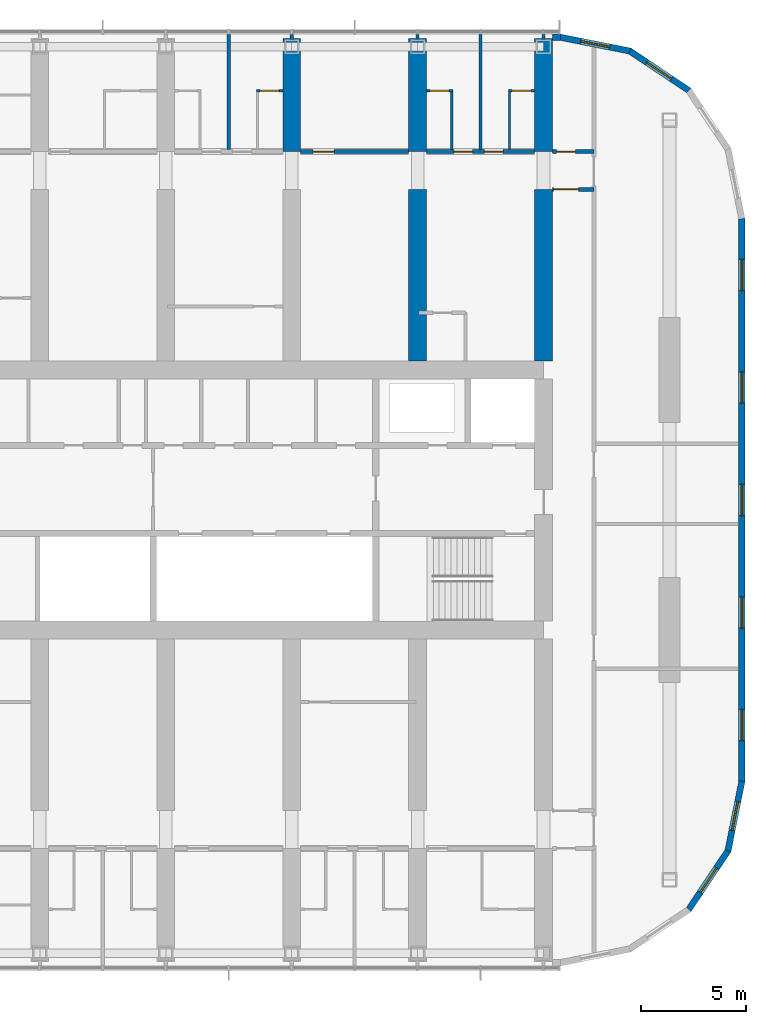
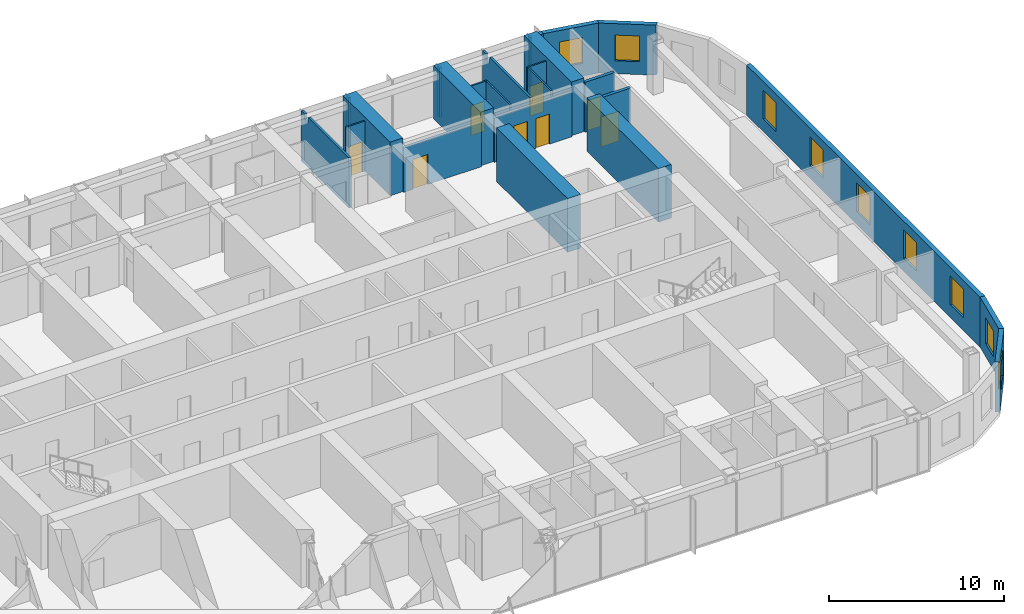
# One storey, part 17 of 23: 25 walls, 9 windows, 8 doors, 17 openings.
"""IFC4 building model written with IfcOpenShell, lengths in metres."""

from ifc_helpers import new_model, si_unit, direction, frame, frame_2d, origin, place, context, subcontext, project, spatial, polyline, rectangle, outline, extrude, material, layer, layer_set, type_object, element, fill, save


model = new_model("IFC4")

# Units and contexts
model_context = context("Model", 3, precision=1e-05, world=origin(), true_north=direction((0.0, 1.0)))
body_context = subcontext(model_context, "Body", "Model", "MODEL_VIEW")
ifc_project = project(units=[si_unit("LENGTHUNIT", "METRE"), si_unit("AREAUNIT", "SQUARE_METRE"), si_unit("VOLUMEUNIT", "CUBIC_METRE"), si_unit("PLANEANGLEUNIT", "RADIAN"), si_unit("MASSUNIT", "GRAM", prefix="KILO")], contexts=[model_context])

# Site, building, storey
site_placement = place(None, origin())
site = spatial("IfcSite", under=ifc_project, at=site_placement, CompositionType="ELEMENT")
building_placement = place(site_placement, origin())
building = spatial("IfcBuilding", under=site, at=building_placement, Name="Orbita Commons", CompositionType="ELEMENT")
storey_placement = place(building_placement, frame((0.0, 0.0, 171.10009765625)))
storey = spatial("IfcBuildingStorey", under=building, at=storey_placement, Name="L42", CompositionType="ELEMENT", Elevation=171.10009765625)

# Wall, opening, door
ifc_material_1 = material(Name="Concrete blockwork", Category="masonry")
ifc_layer_1 = layer(ifc_material_1, 0.199951171875)
ifc_layer_set_1 = layer_set([ifc_layer_1], Name="Concrete blockwork")
wall_type_1 = type_object("IfcWallType", Name="Corridor wall 200 blockwork", PredefinedType="SOLIDWALL", material=ifc_layer_set_1)
wall_1_placement = place(storey_placement, frame((54.425048828125, 48.60009765625, 0.0), z_axis=(0.0, 0.0, 1.0), x_axis=(1.0, 0.0, 0.0)))
wall_1 = element("IfcWall", 1, at=wall_1_placement, inside=storey, type_object=wall_type_1, Name="Corridor wall 200 blockwork L42", PredefinedType="SOLIDWALL", context=body_context, shape_type="SweptSolid", body=[
    extrude(outline(polyline([(0.0, 0.0), (5.14990234375, 0.0), (5.14990234375, 3.099853515625), (0.0, 3.099853515625), (0.0, 0.0)])), frame((0.0, 0.10009765625, 0.0), z_axis=(0.0, -1.0, 0.0), x_axis=(1.0, 0.0, 0.0)), (0.0, 0.0, 1.0), 0.199951171875),
])
opening_1_placement = place(wall_1_placement, frame((0.60009765625, 0.0, 0.0)))
opening_1 = element("IfcOpeningElement", 2, at=opening_1_placement, cuts=wall_1, Name="Opening D06", PredefinedType="OPENING", context=body_context, shape_type="SweptSolid", body=[
    extrude(rectangle(XDim=1.0, YDim=2.10009765625, at=frame_2d((0.5, 1.050048828125))), frame((0.0, 0.10986328125, 0.0), z_axis=(0.0, -1.0, 0.0), x_axis=(1.0, 0.0, 0.0)), (0.0, 0.0, 1.0), 0.219970703125),
])
ifc_material_2 = material(Name="Steel-faced fire door leaf", Category="steel")
door_type_1 = type_object("IfcDoorType", Name="Corridor door 20 min 1000x2100", OperationType="SINGLE_SWING_LEFT", PredefinedType="DOOR", material=ifc_material_2)
door_1_placement = place(opening_1_placement, origin())
door_1 = element("IfcDoor", 3, at=door_1_placement, inside=storey, type_object=door_type_1, Name="Cluster kitchen-diner L42-N12 door", OperationType="SINGLE_SWING_LEFT", OverallHeight=2.10009765625, OverallWidth=1.0, PredefinedType="DOOR", context=body_context, shape_type="SweptSolid", body=[
    extrude(rectangle(XDim=1.0, YDim=2.10009765625, at=frame_2d((0.5, 1.050048828125))), frame((0.0, 0.02490234375, 0.0), z_axis=(0.0, -1.0, 0.0), x_axis=(1.0, 0.0, 0.0)), (0.0, 0.0, 1.0), 0.050048828125),
])
fill(opening_1, door_1)

# Wall, openings, doors
wall_2_placement = place(storey_placement, frame((60.425048828125, 48.60009765625, 0.0), z_axis=(0.0, 0.0, 1.0), x_axis=(1.0, 0.0, 0.0)))
wall_2 = element("IfcWall", 4, at=wall_2_placement, inside=storey, type_object=wall_type_1, Name="Corridor wall 200 blockwork L42", PredefinedType="SOLIDWALL", context=body_context, shape_type="SweptSolid", body=[
    extrude(outline(polyline([(0.0, 0.0), (5.14990234375, 0.0), (5.14990234375, 3.099853515625), (0.0, 3.099853515625), (0.0, 0.0)])), frame((0.0, 0.10009765625, 0.0), z_axis=(0.0, -1.0, 0.0), x_axis=(1.0, 0.0, 0.0)), (0.0, 0.0, 1.0), 0.199951171875),
])
opening_2_placement = place(wall_2_placement, frame((1.300048828125, 0.0, 0.0)))
opening_2 = element("IfcOpeningElement", 5, at=opening_2_placement, cuts=wall_2, Name="Opening D11", PredefinedType="OPENING", context=body_context, shape_type="SweptSolid", body=[
    extrude(rectangle(XDim=0.89990234375, YDim=2.10009765625, at=frame_2d((0.449951171875, 1.050048828125))), frame((0.0, 0.10986328125, 0.0), z_axis=(0.0, -1.0, 0.0), x_axis=(1.0, 0.0, 0.0)), (0.0, 0.0, 1.0), 0.219970703125),
])
opening_3_placement = place(wall_2_placement, frame((2.75, 0.0, 0.0)))
opening_3 = element("IfcOpeningElement", 6, at=opening_3_placement, cuts=wall_2, Name="Opening D11", PredefinedType="OPENING", context=body_context, shape_type="SweptSolid", body=[
    extrude(rectangle(XDim=0.89990234375, YDim=2.10009765625, at=frame_2d((0.449951171875, 1.050048828125))), frame((0.0, 0.10986328125, 0.0), z_axis=(0.0, -1.0, 0.0), x_axis=(1.0, 0.0, 0.0)), (0.0, 0.0, 1.0), 0.219970703125),
])
ifc_material_3 = material(Name="Steel-faced fire door leaf", Category="steel")
door_type_2 = type_object("IfcDoorType", Name="Corridor door 20 min 900x2100", OperationType="SINGLE_SWING_LEFT", PredefinedType="DOOR", material=ifc_material_3)
door_2_placement = place(opening_2_placement, origin())
door_2 = element("IfcDoor", 7, at=door_2_placement, inside=storey, type_object=door_type_2, Name="Cluster bedroom L42-N14 door", OperationType="SINGLE_SWING_LEFT", OverallHeight=2.10009765625, OverallWidth=0.89990234375, PredefinedType="DOOR", context=body_context, shape_type="SweptSolid", body=[
    extrude(rectangle(XDim=0.89990234375, YDim=2.10009765625, at=frame_2d((0.449951171875, 1.050048828125))), frame((0.0, 0.02490234375, 0.0), z_axis=(0.0, -1.0, 0.0), x_axis=(1.0, 0.0, 0.0)), (0.0, 0.0, 1.0), 0.050048828125),
])
fill(opening_2, door_2)
door_3_placement = place(opening_3_placement, origin())
door_3 = element("IfcDoor", 8, at=door_3_placement, inside=storey, type_object=door_type_2, Name="Cluster bedroom L42-N15 door", OperationType="SINGLE_SWING_LEFT", OverallHeight=2.10009765625, OverallWidth=0.89990234375, PredefinedType="DOOR", context=body_context, shape_type="SweptSolid", body=[
    extrude(rectangle(XDim=0.89990234375, YDim=2.10009765625, at=frame_2d((0.449951171875, 1.050048828125))), frame((0.0, 0.02490234375, 0.0), z_axis=(0.0, -1.0, 0.0), x_axis=(1.0, 0.0, 0.0)), (0.0, 0.0, 1.0), 0.050048828125),
])
fill(opening_3, door_3)

# Wall, opening, door
wall_3_placement = place(storey_placement, frame((66.425048828125, 48.60009765625, 0.0), z_axis=(0.0, 0.0, 1.0), x_axis=(1.0, 0.0, 0.0)))
wall_3 = element("IfcWall", 9, at=wall_3_placement, inside=storey, type_object=wall_type_1, Name="Corridor wall 200 blockwork L42", PredefinedType="SOLIDWALL", context=body_context, shape_type="SweptSolid", body=[
    extrude(rectangle(XDim=1.974853515625, YDim=0.199951171875, at=frame_2d((0.9873046875, 0.0))), origin(), (0.0, 0.0, 1.0), 3.5),
])
opening_4_placement = place(wall_3_placement, frame((0.199951171875, 0.0, 0.0)))
opening_4 = element("IfcOpeningElement", 10, at=opening_4_placement, cuts=wall_3, Name="Opening D05", PredefinedType="OPENING", context=body_context, shape_type="SweptSolid", body=[
    extrude(rectangle(XDim=0.89990234375, YDim=2.10009765625, at=frame_2d((0.449951171875, 1.050048828125))), frame((0.0, 0.10986328125, 0.0), z_axis=(0.0, -1.0, 0.0), x_axis=(1.0, 0.0, 0.0)), (0.0, 0.0, 1.0), 0.219970703125),
])
ifc_material_4 = material(Name="Steel-faced fire door leaf", Category="steel")
door_type_3 = type_object("IfcDoorType", Name="Service door 20 min 900x2100", OperationType="SINGLE_SWING_LEFT", PredefinedType="DOOR", material=ifc_material_4)
door_4_placement = place(opening_4_placement, origin())
door_4 = element("IfcDoor", 11, at=door_4_placement, inside=storey, type_object=door_type_3, Name="Linen store L42-KEN door", OperationType="SINGLE_SWING_LEFT", OverallHeight=2.10009765625, OverallWidth=0.89990234375, PredefinedType="DOOR", context=body_context, shape_type="SweptSolid", body=[
    extrude(rectangle(XDim=0.89990234375, YDim=2.10009765625, at=frame_2d((0.449951171875, 1.050048828125))), frame((0.0, 0.02490234375, 0.0), z_axis=(0.0, -1.0, 0.0), x_axis=(1.0, 0.0, 0.0)), (0.0, 0.0, 1.0), 0.050048828125),
])
fill(opening_4, door_4)

ifc_material_5 = material(Name="Hollow concrete block 200", Category="concrete")
ifc_layer_2 = layer(ifc_material_5, 0.199951171875)
ifc_layer_set_2 = layer_set([ifc_layer_2], Name="Hollow concrete block 200")
wall_type_2 = type_object("IfcWallType", Name="Corridor wall 200 hollow concrete block", PredefinedType="SOLIDWALL", material=ifc_layer_set_2)
wall_4_placement = place(storey_placement, frame((66.425048828125, 46.800048828125, 0.0), z_axis=(0.0, 0.0, 1.0), x_axis=(1.0, 0.0, 0.0)))
wall_4 = element("IfcWall", 12, at=wall_4_placement, inside=storey, type_object=wall_type_2, Name="Corridor wall 200 hollow concrete block L42", PredefinedType="SOLIDWALL", context=body_context, shape_type="SweptSolid", body=[
    extrude(rectangle(XDim=1.974853515625, YDim=0.199951171875, at=frame_2d((0.9873046875, 0.0))), origin(), (0.0, 0.0, 1.0), 3.5),
])
opening_5_placement = place(wall_4_placement, frame((0.050048828125, 0.0, 0.0)))
opening_5 = element("IfcOpeningElement", 13, at=opening_5_placement, cuts=wall_4, Name="Opening D12", PredefinedType="OPENING", context=body_context, shape_type="SweptSolid", body=[
    extrude(rectangle(XDim=1.199951171875, YDim=2.10009765625, at=frame_2d((0.60009765625, 1.050048828125))), frame((0.0, 0.10986328125, 0.0), z_axis=(0.0, -1.0, 0.0), x_axis=(1.0, 0.0, 0.0)), (0.0, 0.0, 1.0), 0.219970703125),
])
ifc_material_6 = material(Name="Steel-faced fire door leaf", Category="steel")
door_type_4 = type_object("IfcDoorType", Name="Double corridor door 20 min 1200x2100", OperationType="DOUBLE_DOOR_SINGLE_SWING", PredefinedType="DOOR", material=ifc_material_6)
door_5_placement = place(opening_5_placement, origin())
door_5 = element("IfcDoor", 14, at=door_5_placement, inside=storey, type_object=door_type_4, Name="Cross corridor doors", OperationType="DOUBLE_DOOR_SINGLE_SWING", OverallHeight=2.10009765625, OverallWidth=1.199951171875, PredefinedType="DOOR", context=body_context, shape_type="SweptSolid", body=[
    extrude(rectangle(XDim=1.199951171875, YDim=2.10009765625, at=frame_2d((0.60009765625, 1.050048828125))), frame((0.0, 0.02490234375, 0.0), z_axis=(0.0, -1.0, 0.0), x_axis=(1.0, 0.0, 0.0)), (0.0, 0.0, 1.0), 0.050048828125),
])
fill(opening_5, door_5)

# Walls
ifc_material_7 = material(Name="Concrete C50/60", Category="concrete")
ifc_layer_3 = layer(ifc_material_7, 0.85009765625)
ifc_layer_set_3 = layer_set([ifc_layer_3], Name="Concrete C50/60")
wall_type_3 = type_object("IfcWallType", Name="Cross wall 850 C50/60", PredefinedType="SHEAR", material=ifc_layer_set_3)
for number, where, z_axis, x_axis, name in (
    (15, (54.0, 48.60009765625, 0.0), (0.0, 0.0, 1.0), (0.0, 1.0, 0.0), "Cross wall 10 north outer L42"),
    (16, (60.0, 48.60009765625, 0.0), (0.0, 0.0, 1.0), (0.0, 1.0, 0.0), "Cross wall 11 north outer L42"),
):
    element("IfcWall", number, at=place(storey_placement, frame(where, z_axis=z_axis, x_axis=x_axis)), inside=storey, type_object=wall_type_3, Name=name, PredefinedType="SHEAR", context=body_context, shape_type="SweptSolid", body=[
        extrude(rectangle(XDim=5.39990234375, YDim=0.85009765625, at=frame_2d((2.699951171875, 0.0))), origin(), (0.0, 0.0, 1.0), 3.75),
    ])
wall_5_placement = place(storey_placement, frame((60.0, 38.625, 0.0), z_axis=(0.0, 0.0, 1.0), x_axis=(0.0, 1.0, 0.0)))
element("IfcWall", 17, at=wall_5_placement, inside=storey, type_object=wall_type_3, Name="Cross wall 11 north inner L42", PredefinedType="SHEAR", context=body_context, shape_type="SweptSolid", body=[
    extrude(rectangle(XDim=8.175048828125, YDim=0.85009765625, at=frame_2d((4.08740234375, 0.0))), origin(), (0.0, 0.0, 1.0), 3.75),
])
wall_6_placement = place(storey_placement, frame((66.0, 48.60009765625, 0.0), z_axis=(0.0, 0.0, 1.0), x_axis=(0.0, 1.0, 0.0)))
element("IfcWall", 18, at=wall_6_placement, inside=storey, type_object=wall_type_3, Name="Cross wall 12 north outer L42", PredefinedType="SHEAR", context=body_context, shape_type="SweptSolid", body=[
    extrude(rectangle(XDim=5.39990234375, YDim=0.85009765625, at=frame_2d((2.699951171875, 0.0))), origin(), (0.0, 0.0, 1.0), 3.75),
])
wall_7_placement = place(storey_placement, frame((66.0, 38.625, 0.0), z_axis=(0.0, 0.0, 1.0), x_axis=(0.0, 1.0, 0.0)))
element("IfcWall", 19, at=wall_7_placement, inside=storey, type_object=wall_type_3, Name="Cross wall 12 north inner L42", PredefinedType="SHEAR", context=body_context, shape_type="SweptSolid", body=[
    extrude(rectangle(XDim=8.175048828125, YDim=0.85009765625, at=frame_2d((4.08740234375, 0.0))), origin(), (0.0, 0.0, 1.0), 3.75),
])

# Wall, opening, door
ifc_material_8 = material(Name="Moisture-resistant plasterboard on steel studs", Category="steel")
ifc_layer_4 = layer(ifc_material_8, 0.10009765625)
ifc_layer_set_4 = layer_set([ifc_layer_4], Name="Moisture-resistant plasterboard on steel studs")
wall_type_4 = type_object("IfcWallType", Name="En-suite partition 100", PredefinedType="PARTITIONING", material=ifc_layer_set_4)
wall_8_placement = place(storey_placement, frame((52.324951171875, 51.5, 0.0), z_axis=(0.0, 0.0, 1.0), x_axis=(1.0, 0.0, 0.0)))
wall_8 = element("IfcWall", 20, at=wall_8_placement, inside=storey, type_object=wall_type_4, Name="En-suite partition 100 L42", PredefinedType="PARTITIONING", context=body_context, shape_type="SweptSolid", body=[
    extrude(rectangle(XDim=1.25, YDim=0.10009765625, at=frame_2d((0.625, 0.0))), origin(), (0.0, 0.0, 1.0), 3.5),
])
opening_6_placement = place(wall_8_placement, frame((0.175048828125, 0.0, 0.0)))
opening_6 = element("IfcOpeningElement", 21, at=opening_6_placement, cuts=wall_8, Name="Opening D09", PredefinedType="OPENING", context=body_context, shape_type="SweptSolid", body=[
    extrude(rectangle(XDim=0.89990234375, YDim=2.10009765625, at=frame_2d((0.449951171875, 1.050048828125))), frame((0.0, 0.06005859375, 0.0), z_axis=(0.0, -1.0, 0.0), x_axis=(1.0, 0.0, 0.0)), (0.0, 0.0, 1.0), 0.1201171875),
])
ifc_material_9 = material(Name="Laminated timber door leaf", Category="wood")
door_type_5 = type_object("IfcDoorType", Name="En-suite door 900x2100", OperationType="SINGLE_SWING_RIGHT", PredefinedType="DOOR", material=ifc_material_9)
door_6_placement = place(opening_6_placement, origin())
door_6 = element("IfcDoor", 22, at=door_6_placement, inside=storey, type_object=door_type_5, Name="En-suite L42-N11 door", OperationType="SINGLE_SWING_RIGHT", OverallHeight=2.10009765625, OverallWidth=0.89990234375, PredefinedType="DOOR", context=body_context, shape_type="SweptSolid", body=[
    extrude(rectangle(XDim=0.89990234375, YDim=2.10009765625, at=frame_2d((0.449951171875, 1.050048828125))), frame((0.0, 0.02490234375, 0.0), z_axis=(0.0, -1.0, 0.0), x_axis=(1.0, 0.0, 0.0)), (0.0, 0.0, 1.0), 0.050048828125),
])
fill(opening_6, door_6)

wall_9_placement = place(storey_placement, frame((60.425048828125, 51.5, 0.0), z_axis=(0.0, 0.0, 1.0), x_axis=(1.0, 0.0, 0.0)))
wall_9 = element("IfcWall", 23, at=wall_9_placement, inside=storey, type_object=wall_type_4, Name="En-suite partition 100 L42", PredefinedType="PARTITIONING", context=body_context, shape_type="SweptSolid", body=[
    extrude(rectangle(XDim=1.25, YDim=0.10009765625, at=frame_2d((0.625, 0.0))), origin(), (0.0, 0.0, 1.0), 3.5),
])
opening_7_placement = place(wall_9_placement, frame((0.175048828125, 0.0, 0.0)))
opening_7 = element("IfcOpeningElement", 24, at=opening_7_placement, cuts=wall_9, Name="Opening D09", PredefinedType="OPENING", context=body_context, shape_type="SweptSolid", body=[
    extrude(rectangle(XDim=0.89990234375, YDim=2.10009765625, at=frame_2d((0.449951171875, 1.050048828125))), frame((0.0, 0.06005859375, 0.0), z_axis=(0.0, -1.0, 0.0), x_axis=(1.0, 0.0, 0.0)), (0.0, 0.0, 1.0), 0.1201171875),
])
door_7_placement = place(opening_7_placement, origin())
door_7 = element("IfcDoor", 25, at=door_7_placement, inside=storey, type_object=door_type_5, Name="En-suite L42-N14 door", OperationType="SINGLE_SWING_RIGHT", OverallHeight=2.10009765625, OverallWidth=0.89990234375, PredefinedType="DOOR", context=body_context, shape_type="SweptSolid", body=[
    extrude(rectangle(XDim=0.89990234375, YDim=2.10009765625, at=frame_2d((0.449951171875, 1.050048828125))), frame((0.0, 0.02490234375, 0.0), z_axis=(0.0, -1.0, 0.0), x_axis=(1.0, 0.0, 0.0)), (0.0, 0.0, 1.0), 0.050048828125),
])
fill(opening_7, door_7)

# Wall
wall_10_placement = place(storey_placement, frame((61.625, 51.449951171875, 0.0), z_axis=(0.0, 0.0, 1.0), x_axis=(0.0, -1.0, 0.0)))
element("IfcWall", 26, at=wall_10_placement, inside=storey, type_object=wall_type_4, Name="En-suite partition 100 L42", PredefinedType="PARTITIONING", context=body_context, shape_type="SweptSolid", body=[
    extrude(outline(polyline([(0.0, 0.0), (2.75, 0.0), (2.75, 3.099853515625), (2.701904296875, 3.099853515625), (2.699951171875, 3.5), (0.0, 3.5), (0.0, 0.0)])), frame((0.0, 0.050048828125, 0.0), z_axis=(0.0, -1.0, 0.0), x_axis=(1.0, 0.0, 0.0)), (0.0, 0.0, 1.0), 0.10009765625),
])

# Wall, opening, door
wall_11_placement = place(storey_placement, frame((64.324951171875, 51.5, 0.0), z_axis=(0.0, 0.0, 1.0), x_axis=(1.0, 0.0, 0.0)))
wall_11 = element("IfcWall", 27, at=wall_11_placement, inside=storey, type_object=wall_type_4, Name="En-suite partition 100 L42", PredefinedType="PARTITIONING", context=body_context, shape_type="SweptSolid", body=[
    extrude(rectangle(XDim=1.25, YDim=0.10009765625, at=frame_2d((0.625, 0.0))), origin(), (0.0, 0.0, 1.0), 3.5),
])
opening_8_placement = place(wall_11_placement, frame((0.175048828125, 0.0, 0.0)))
opening_8 = element("IfcOpeningElement", 28, at=opening_8_placement, cuts=wall_11, Name="Opening D09", PredefinedType="OPENING", context=body_context, shape_type="SweptSolid", body=[
    extrude(rectangle(XDim=0.89990234375, YDim=2.10009765625, at=frame_2d((0.449951171875, 1.050048828125))), frame((0.0, 0.06005859375, 0.0), z_axis=(0.0, -1.0, 0.0), x_axis=(1.0, 0.0, 0.0)), (0.0, 0.0, 1.0), 0.1201171875),
])
door_8_placement = place(opening_8_placement, origin())
door_8 = element("IfcDoor", 29, at=door_8_placement, inside=storey, type_object=door_type_5, Name="En-suite L42-N15 door", OperationType="SINGLE_SWING_RIGHT", OverallHeight=2.10009765625, OverallWidth=0.89990234375, PredefinedType="DOOR", context=body_context, shape_type="SweptSolid", body=[
    extrude(rectangle(XDim=0.89990234375, YDim=2.10009765625, at=frame_2d((0.449951171875, 1.050048828125))), frame((0.0, 0.02490234375, 0.0), z_axis=(0.0, -1.0, 0.0), x_axis=(1.0, 0.0, 0.0)), (0.0, 0.0, 1.0), 0.050048828125),
])
fill(opening_8, door_8)

# Walls
wall_12_placement = place(storey_placement, frame((64.375, 51.449951171875, 0.0), z_axis=(0.0, 0.0, 1.0), x_axis=(0.0, -1.0, 0.0)))
element("IfcWall", 30, at=wall_12_placement, inside=storey, type_object=wall_type_4, Name="En-suite partition 100 L42", PredefinedType="PARTITIONING", context=body_context, shape_type="SweptSolid", body=[
    extrude(outline(polyline([(0.0, 0.0), (2.75, 0.0), (2.75, 3.099853515625), (2.701904296875, 3.099853515625), (2.699951171875, 3.5), (0.0, 3.5), (0.0, 0.0)])), frame((0.0, 0.050048828125, 0.0), z_axis=(0.0, -1.0, 0.0), x_axis=(1.0, 0.0, 0.0)), (0.0, 0.0, 1.0), 0.10009765625),
])
ifc_material_10 = material(Name="Gypsum plasterboard on steel studs", Category="steel")
ifc_layer_5 = layer(ifc_material_10, 0.14990234375)
ifc_layer_set_5 = layer_set([ifc_layer_5], Name="Gypsum plasterboard on steel studs")
wall_type_5 = type_object("IfcWallType", Name="Partition 150 plasterboard", PredefinedType="PARTITIONING", material=ifc_layer_set_5)
for number, where, z_axis, x_axis, name in (
    (31, (54.0, 53.949951171875, 0.0), (0.0, 0.0, 1.0), (0.0, 1.0, 0.0), "Partition 150 plasterboard L42"),
    (32, (60.0, 53.949951171875, 0.0), (0.0, 0.0, 1.0), (0.0, 1.0, 0.0), "Partition 150 plasterboard L42"),
    (33, (66.0, 53.949951171875, 0.0), (0.0, 0.0, 1.0), (0.0, 1.0, 0.0), "Partition 150 plasterboard L42"),
):
    element("IfcWall", number, at=place(storey_placement, frame(where, z_axis=z_axis, x_axis=x_axis)), inside=storey, type_object=wall_type_5, Name=name, PredefinedType="PARTITIONING", context=body_context, shape_type="SweptSolid", body=[
        extrude(rectangle(XDim=0.239990234375, YDim=0.14990234375, at=frame_2d((0.1201171875, 0.0))), origin(), (0.0, 0.0, 1.0), 3.5),
    ])
ifc_material_11 = material(Name="Gypsum plasterboard on steel studs", Category="steel")
ifc_layer_6 = layer(ifc_material_11, 0.14990234375)
ifc_layer_set_6 = layer_set([ifc_layer_6], Name="Gypsum plasterboard on steel studs")
wall_type_6 = type_object("IfcWallType", Name="Party wall 150 plasterboard", PredefinedType="PARTITIONING", material=ifc_layer_set_6)
for number, where, z_axis, x_axis, name in (
    (34, (51.0, 54.18994140625, 0.0), (0.0, 0.0, 1.0), (0.0, -1.0, 0.0), "Party wall 150 plasterboard L42"),
    (35, (63.0, 54.18994140625, 0.0), (0.0, 0.0, 1.0), (0.0, -1.0, 0.0), "Party wall 150 plasterboard L42"),
):
    element("IfcWall", number, at=place(storey_placement, frame(where, z_axis=z_axis, x_axis=x_axis)), inside=storey, type_object=wall_type_6, Name=name, PredefinedType="PARTITIONING", context=body_context, shape_type="SweptSolid", body=[
        extrude(outline(polyline([(0.0, 0.0), (5.489990234375, 0.0), (5.489990234375, 3.099853515625), (5.44189453125, 3.099853515625), (5.43994140625, 3.5), (0.7919921875, 3.5), (0.7900390625, 3.099853515625), (0.39208984375, 3.099853515625), (0.389892578125, 3.5), (0.0, 3.5), (0.0, 0.0)])), frame((0.0, 0.074951171875, 0.0), z_axis=(0.0, -1.0, 0.0), x_axis=(1.0, 0.0, 0.0)), (0.0, 0.0, 1.0), 0.14990234375),
    ])

# Wall, openings, windows
ifc_material_12 = material(Name="Precast concrete C40/50, white board-marked finish", Category="concrete")
ifc_layer_7 = layer(ifc_material_12, 0.300048828125)
ifc_layer_set_7 = layer_set([ifc_layer_7], Name="Precast concrete C40/50, white board-marked finish")
wall_type_7 = type_object("IfcWallType", Name="Precast concrete end shield 300", PredefinedType="SOLIDWALL", material=ifc_layer_set_7)
wall_13_placement = place(storey_placement, frame((75.449951171875, 18.60009765625, 0.0), z_axis=(0.0, 0.0, 1.0), x_axis=(0.0, 1.0, 0.0)))
wall_13 = element("IfcWall", 36, at=wall_13_placement, inside=storey, type_object=wall_type_7, Name="End shield E L42", PredefinedType="SOLIDWALL", context=body_context, shape_type="SweptSolid", body=[
    extrude(outline(polyline([(-0.014892578125, -0.14990234375), (26.814697265625, -0.14990234375), (26.784912109375, 0.14990234375), (0.014892578125, 0.14990234375), (-0.014892578125, -0.14990234375)])), origin(), (0.0, 0.0, 1.0), 3.5),
])
opening_9_placement = place(wall_13_placement, frame((1.929931640625, 0.0, 0.89990234375)))
opening_9 = element("IfcOpeningElement", 37, at=opening_9_placement, cuts=wall_13, Name="Opening W01", PredefinedType="OPENING", context=body_context, shape_type="SweptSolid", body=[
    extrude(rectangle(XDim=1.5, YDim=2.0, at=frame_2d((0.75, 1.0))), frame((0.0, 0.159912109375, 0.0), z_axis=(0.0, -1.0, 0.0), x_axis=(1.0, 0.0, 0.0)), (0.0, 0.0, 1.0), 0.320068359375),
])
opening_10_placement = place(wall_13_placement, frame((7.2900390625, 0.0, 0.89990234375)))
opening_10 = element("IfcOpeningElement", 38, at=opening_10_placement, cuts=wall_13, Name="Opening W01", PredefinedType="OPENING", context=body_context, shape_type="SweptSolid", body=[
    extrude(rectangle(XDim=1.5, YDim=2.0, at=frame_2d((0.75, 1.0))), frame((0.0, 0.159912109375, 0.0), z_axis=(0.0, -1.0, 0.0), x_axis=(1.0, 0.0, 0.0)), (0.0, 0.0, 1.0), 0.320068359375),
])
opening_11_placement = place(wall_13_placement, frame((12.64990234375, 0.0, 0.89990234375)))
opening_11 = element("IfcOpeningElement", 39, at=opening_11_placement, cuts=wall_13, Name="Opening W01", PredefinedType="OPENING", context=body_context, shape_type="SweptSolid", body=[
    extrude(rectangle(XDim=1.5, YDim=2.0, at=frame_2d((0.75, 1.0))), frame((0.0, 0.159912109375, 0.0), z_axis=(0.0, -1.0, 0.0), x_axis=(1.0, 0.0, 0.0)), (0.0, 0.0, 1.0), 0.320068359375),
])
opening_12_placement = place(wall_13_placement, frame((18.010009765625, 0.0, 0.89990234375)))
opening_12 = element("IfcOpeningElement", 40, at=opening_12_placement, cuts=wall_13, Name="Opening W01", PredefinedType="OPENING", context=body_context, shape_type="SweptSolid", body=[
    extrude(rectangle(XDim=1.5, YDim=2.0, at=frame_2d((0.75, 1.0))), frame((0.0, 0.159912109375, 0.0), z_axis=(0.0, -1.0, 0.0), x_axis=(1.0, 0.0, 0.0)), (0.0, 0.0, 1.0), 0.320068359375),
])
opening_13_placement = place(wall_13_placement, frame((23.3701171875, 0.0, 0.89990234375)))
opening_13 = element("IfcOpeningElement", 41, at=opening_13_placement, cuts=wall_13, Name="Opening W01", PredefinedType="OPENING", context=body_context, shape_type="SweptSolid", body=[
    extrude(rectangle(XDim=1.5, YDim=2.0, at=frame_2d((0.75, 1.0))), frame((0.0, 0.159912109375, 0.0), z_axis=(0.0, -1.0, 0.0), x_axis=(1.0, 0.0, 0.0)), (0.0, 0.0, 1.0), 0.320068359375),
])
ifc_material_13 = material(Name="Aluminium frame, clear double glazing", Category="aluminium")
window_type_1 = type_object("IfcWindowType", Name="Deep-set window 1500x2000", PartitioningType="SINGLE_PANEL", PredefinedType="WINDOW", material=ifc_material_13)
window_1_placement = place(opening_9_placement, origin())
window_1 = element("IfcWindow", 42, at=window_1_placement, inside=storey, type_object=window_type_1, Name="Window L42-E 1", OverallHeight=2.0, OverallWidth=1.5, PartitioningType="SINGLE_PANEL", PredefinedType="WINDOW", context=body_context, shape_type="SweptSolid", body=[
    extrude(rectangle(XDim=1.5, YDim=2.0, at=frame_2d((0.75, 1.0))), frame((0.0, 0.030029296875, 0.0), z_axis=(0.0, -1.0, 0.0), x_axis=(1.0, 0.0, 0.0)), (0.0, 0.0, 1.0), 0.06005859375),
])
fill(opening_9, window_1)
window_2_placement = place(opening_10_placement, origin())
window_2 = element("IfcWindow", 43, at=window_2_placement, inside=storey, type_object=window_type_1, Name="Window L42-E 2", OverallHeight=2.0, OverallWidth=1.5, PartitioningType="SINGLE_PANEL", PredefinedType="WINDOW", context=body_context, shape_type="SweptSolid", body=[
    extrude(rectangle(XDim=1.5, YDim=2.0, at=frame_2d((0.75, 1.0))), frame((0.0, 0.030029296875, 0.0), z_axis=(0.0, -1.0, 0.0), x_axis=(1.0, 0.0, 0.0)), (0.0, 0.0, 1.0), 0.06005859375),
])
fill(opening_10, window_2)
window_3_placement = place(opening_11_placement, origin())
window_3 = element("IfcWindow", 44, at=window_3_placement, inside=storey, type_object=window_type_1, Name="Window L42-E 3", OverallHeight=2.0, OverallWidth=1.5, PartitioningType="SINGLE_PANEL", PredefinedType="WINDOW", context=body_context, shape_type="SweptSolid", body=[
    extrude(rectangle(XDim=1.5, YDim=2.0, at=frame_2d((0.75, 1.0))), frame((0.0, 0.030029296875, 0.0), z_axis=(0.0, -1.0, 0.0), x_axis=(1.0, 0.0, 0.0)), (0.0, 0.0, 1.0), 0.06005859375),
])
fill(opening_11, window_3)
window_4_placement = place(opening_12_placement, origin())
window_4 = element("IfcWindow", 45, at=window_4_placement, inside=storey, type_object=window_type_1, Name="Window L42-E 4", OverallHeight=2.0, OverallWidth=1.5, PartitioningType="SINGLE_PANEL", PredefinedType="WINDOW", context=body_context, shape_type="SweptSolid", body=[
    extrude(rectangle(XDim=1.5, YDim=2.0, at=frame_2d((0.75, 1.0))), frame((0.0, 0.030029296875, 0.0), z_axis=(0.0, -1.0, 0.0), x_axis=(1.0, 0.0, 0.0)), (0.0, 0.0, 1.0), 0.06005859375),
])
fill(opening_12, window_4)
window_5_placement = place(opening_13_placement, origin())
window_5 = element("IfcWindow", 46, at=window_5_placement, inside=storey, type_object=window_type_1, Name="Window L42-E 5", OverallHeight=2.0, OverallWidth=1.5, PartitioningType="SINGLE_PANEL", PredefinedType="WINDOW", context=body_context, shape_type="SweptSolid", body=[
    extrude(rectangle(XDim=1.5, YDim=2.0, at=frame_2d((0.75, 1.0))), frame((0.0, 0.030029296875, 0.0), z_axis=(0.0, -1.0, 0.0), x_axis=(1.0, 0.0, 0.0)), (0.0, 0.0, 1.0), 0.06005859375),
])
fill(opening_13, window_5)

# Wall, opening, window
wall_14_placement = place(storey_placement, frame((72.91650390625, 12.4833984375, 0.0), z_axis=(0.0, 0.0, 1.0), x_axis=(0.555534554399, 0.831493450887, 0.0)))
wall_14 = element("IfcWall", 47, at=wall_14_placement, inside=storey, type_object=wall_type_7, Name="End shield SE chord 3 L42", PredefinedType="SOLIDWALL", context=body_context, shape_type="SweptSolid", body=[
    extrude(outline(polyline([(-0.02978515625, -0.14990234375), (3.405029296875, -0.14990234375), (3.345458984375, 0.14990234375), (0.02978515625, 0.14990234375), (-0.02978515625, -0.14990234375)])), origin(), (0.0, 0.0, 1.0), 3.5),
])
opening_14_placement = place(wall_14_placement, frame((0.987548828125, 0.0, 0.89990234375)))
opening_14 = element("IfcOpeningElement", 48, at=opening_14_placement, cuts=wall_14, Name="Opening W02", PredefinedType="OPENING", context=body_context, shape_type="SweptSolid", body=[
    extrude(rectangle(XDim=1.39990234375, YDim=1.800048828125, at=frame_2d((0.699951171875, 0.89990234375))), frame((0.0, 0.159912109375, 0.0), z_axis=(0.0, -1.0, 0.0), x_axis=(1.0, 0.0, 0.0)), (0.0, 0.0, 1.0), 0.320068359375),
])
ifc_material_14 = material(Name="Aluminium frame, clear double glazing", Category="aluminium")
window_type_2 = type_object("IfcWindowType", Name="Deep-set window 1400x1800", PartitioningType="SINGLE_PANEL", PredefinedType="WINDOW", material=ifc_material_14)
window_6_placement = place(opening_14_placement, origin())
window_6 = element("IfcWindow", 49, at=window_6_placement, inside=storey, type_object=window_type_2, Name="Window L42-SE2", OverallHeight=1.800048828125, OverallWidth=1.39990234375, PartitioningType="SINGLE_PANEL", PredefinedType="WINDOW", context=body_context, shape_type="SweptSolid", body=[
    extrude(rectangle(XDim=1.39990234375, YDim=1.800048828125, at=frame_2d((0.699951171875, 0.89990234375))), frame((0.0, 0.030029296875, 0.0), z_axis=(0.0, -1.0, 0.0), x_axis=(1.0, 0.0, 0.0)), (0.0, 0.0, 1.0), 0.06005859375),
])
fill(opening_14, window_6)

wall_15_placement = place(storey_placement, frame((74.79150390625, 15.289794921875, 0.0), z_axis=(0.0, 0.0, 1.0), x_axis=(0.19508664885, 0.980786011034, 0.0)))
wall_15 = element("IfcWall", 50, at=wall_15_placement, inside=storey, type_object=wall_type_7, Name="End shield SE chord 4 L42", PredefinedType="SOLIDWALL", context=body_context, shape_type="SweptSolid", body=[
    extrude(outline(polyline([(-0.02978515625, -0.14990234375), (3.39013671875, -0.14990234375), (3.3603515625, 0.14990234375), (0.02978515625, 0.14990234375), (-0.02978515625, -0.14990234375)])), origin(), (0.0, 0.0, 1.0), 3.5),
])
opening_15_placement = place(wall_15_placement, frame((0.987548828125, 0.0, 0.89990234375)))
opening_15 = element("IfcOpeningElement", 51, at=opening_15_placement, cuts=wall_15, Name="Opening W02", PredefinedType="OPENING", context=body_context, shape_type="SweptSolid", body=[
    extrude(rectangle(XDim=1.39990234375, YDim=1.800048828125, at=frame_2d((0.699951171875, 0.89990234375))), frame((0.0, 0.159912109375, 0.0), z_axis=(0.0, -1.0, 0.0), x_axis=(1.0, 0.0, 0.0)), (0.0, 0.0, 1.0), 0.320068359375),
])
window_7_placement = place(opening_15_placement, origin())
window_7 = element("IfcWindow", 52, at=window_7_placement, inside=storey, type_object=window_type_2, Name="Window L42-SE3", OverallHeight=1.800048828125, OverallWidth=1.39990234375, PartitioningType="SINGLE_PANEL", PredefinedType="WINDOW", context=body_context, shape_type="SweptSolid", body=[
    extrude(rectangle(XDim=1.39990234375, YDim=1.800048828125, at=frame_2d((0.699951171875, 0.89990234375))), frame((0.0, 0.030029296875, 0.0), z_axis=(0.0, -1.0, 0.0), x_axis=(1.0, 0.0, 0.0)), (0.0, 0.0, 1.0), 0.06005859375),
])
fill(opening_15, window_7)

wall_16_placement = place(storey_placement, frame((72.91650390625, 51.5166015625, 0.0), z_axis=(0.0, 0.0, 1.0), x_axis=(-0.831493450887, 0.555534554399, 0.0)))
wall_16 = element("IfcWall", 53, at=wall_16_placement, inside=storey, type_object=wall_type_7, Name="End shield NE chord 3 L42", PredefinedType="SOLIDWALL", context=body_context, shape_type="SweptSolid", body=[
    extrude(outline(polyline([(-0.02978515625, -0.14990234375), (3.405029296875, -0.14990234375), (3.345458984375, 0.14990234375), (0.02978515625, 0.14990234375), (-0.02978515625, -0.14990234375)])), origin(), (0.0, 0.0, 1.0), 3.5),
])
opening_16_placement = place(wall_16_placement, frame((0.987548828125, 0.0, 0.89990234375)))
opening_16 = element("IfcOpeningElement", 54, at=opening_16_placement, cuts=wall_16, Name="Opening W02", PredefinedType="OPENING", context=body_context, shape_type="SweptSolid", body=[
    extrude(rectangle(XDim=1.39990234375, YDim=1.800048828125, at=frame_2d((0.699951171875, 0.89990234375))), frame((0.0, 0.159912109375, 0.0), z_axis=(0.0, -1.0, 0.0), x_axis=(1.0, 0.0, 0.0)), (0.0, 0.0, 1.0), 0.320068359375),
])
window_8_placement = place(opening_16_placement, origin())
window_8 = element("IfcWindow", 55, at=window_8_placement, inside=storey, type_object=window_type_2, Name="Window L42-NE2", OverallHeight=1.800048828125, OverallWidth=1.39990234375, PartitioningType="SINGLE_PANEL", PredefinedType="WINDOW", context=body_context, shape_type="SweptSolid", body=[
    extrude(rectangle(XDim=1.39990234375, YDim=1.800048828125, at=frame_2d((0.699951171875, 0.89990234375))), frame((0.0, 0.030029296875, 0.0), z_axis=(0.0, -1.0, 0.0), x_axis=(1.0, 0.0, 0.0)), (0.0, 0.0, 1.0), 0.06005859375),
])
fill(opening_16, window_8)

wall_17_placement = place(storey_placement, frame((70.110107421875, 53.3916015625, 0.0), z_axis=(0.0, 0.0, 1.0), x_axis=(-0.98078325777, 0.195100490205, 0.0)))
wall_17 = element("IfcWall", 56, at=wall_17_placement, inside=storey, type_object=wall_type_7, Name="End shield NE chord 4 L42", PredefinedType="SOLIDWALL", context=body_context, shape_type="SweptSolid", body=[
    extrude(outline(polyline([(-0.02978515625, -0.14990234375), (3.40478515625, -0.14990234375), (3.34521484375, 0.14990234375), (0.02978515625, 0.14990234375), (-0.02978515625, -0.14990234375)])), origin(), (0.0, 0.0, 1.0), 3.5),
])
opening_17_placement = place(wall_17_placement, frame((0.987548828125, 0.0, 0.89990234375)))
opening_17 = element("IfcOpeningElement", 57, at=opening_17_placement, cuts=wall_17, Name="Opening W02", PredefinedType="OPENING", context=body_context, shape_type="SweptSolid", body=[
    extrude(rectangle(XDim=1.39990234375, YDim=1.800048828125, at=frame_2d((0.699951171875, 0.89990234375))), frame((0.0, 0.159912109375, 0.0), z_axis=(0.0, -1.0, 0.0), x_axis=(1.0, 0.0, 0.0)), (0.0, 0.0, 1.0), 0.320068359375),
])
window_9_placement = place(opening_17_placement, origin())
window_9 = element("IfcWindow", 58, at=window_9_placement, inside=storey, type_object=window_type_2, Name="Window L42-NE3", OverallHeight=1.800048828125, OverallWidth=1.39990234375, PartitioningType="SINGLE_PANEL", PredefinedType="WINDOW", context=body_context, shape_type="SweptSolid", body=[
    extrude(rectangle(XDim=1.39990234375, YDim=1.800048828125, at=frame_2d((0.699951171875, 0.89990234375))), frame((0.0, 0.030029296875, 0.0), z_axis=(0.0, -1.0, 0.0), x_axis=(1.0, 0.0, 0.0)), (0.0, 0.0, 1.0), 0.06005859375),
])
fill(opening_17, window_9)

# Wall
wall_18_placement = place(storey_placement, frame((66.800048828125, 54.050048828125, 0.0), z_axis=(0.0, 0.0, 1.0), x_axis=(-1.0, 0.0, 0.0)))
element("IfcWall", 59, at=wall_18_placement, inside=storey, type_object=wall_type_7, Name="End shield NE closer L42", PredefinedType="SOLIDWALL", context=body_context, shape_type="SweptSolid", body=[
    extrude(rectangle(XDim=0.375, YDim=0.300048828125, at=frame_2d((0.1875, 0.0))), origin(), (0.0, 0.0, 1.0), 3.5),
])

save(model, "model.ifc")
